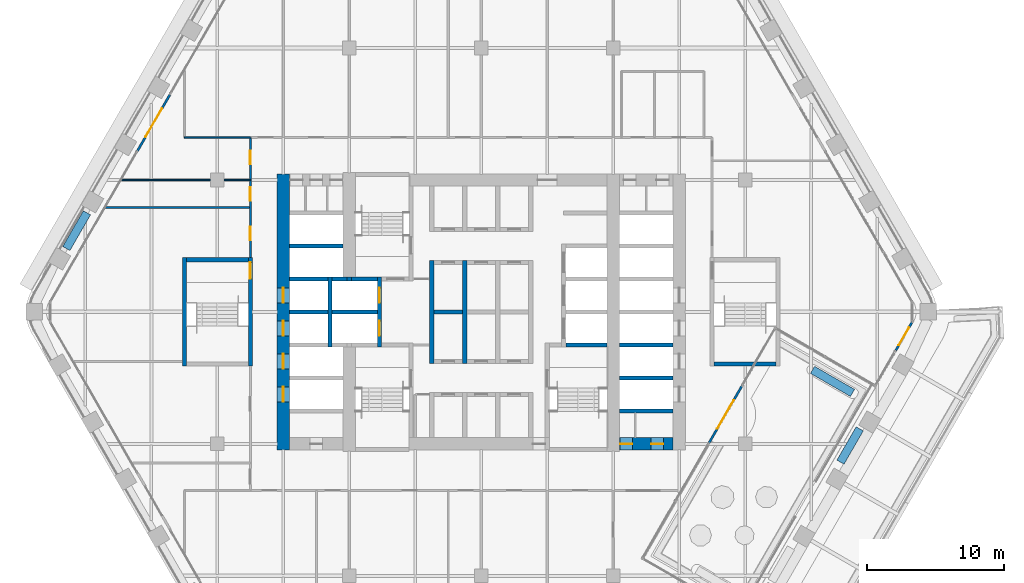
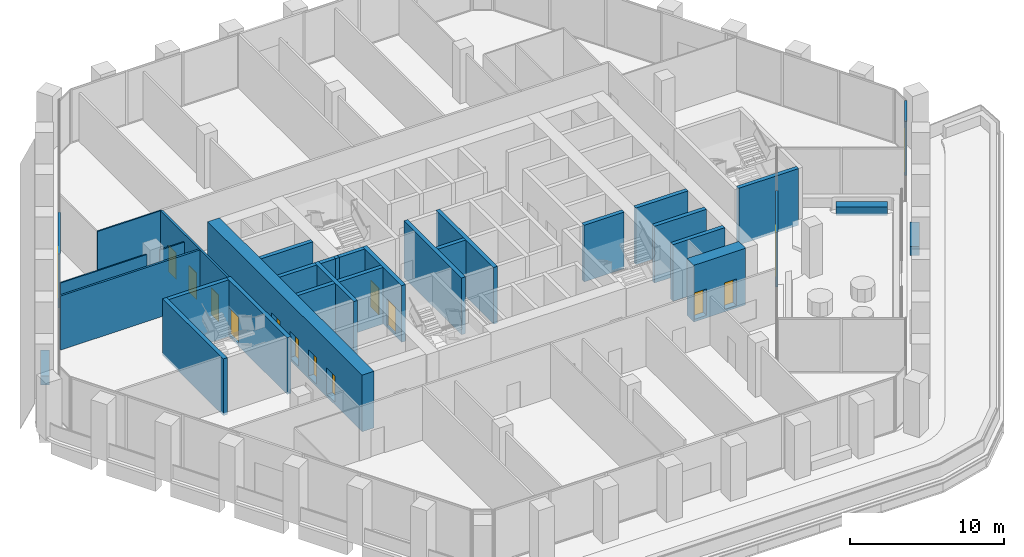
# One storey, part 15 of 25: 33 walls, 15 doors, 15 openings.
"""IFC4 building model written with IfcOpenShell, lengths in metres."""

from ifc_helpers import new_model, si_unit, direction, frame, frame_2d, origin, place, context, subcontext, project, spatial, rectangle, extrude, material, layer, layer_set, type_object, element, fill, save


model = new_model("IFC4")

# Units and contexts
model_context = context("Model", 3, precision=1e-05, world=origin(), true_north=direction((0.0, 1.0)))
body_context = subcontext(model_context, "Body", "Model", "MODEL_VIEW")
ifc_project = project(units=[si_unit("LENGTHUNIT", "METRE"), si_unit("AREAUNIT", "SQUARE_METRE"), si_unit("VOLUMEUNIT", "CUBIC_METRE"), si_unit("PLANEANGLEUNIT", "RADIAN"), si_unit("MASSUNIT", "GRAM", prefix="KILO")], contexts=[model_context])

# Site, building, storey
site_placement = place(None, origin())
site = spatial("IfcSite", under=ifc_project, at=site_placement, CompositionType="ELEMENT")
building_placement = place(site_placement, origin())
building = spatial("IfcBuilding", under=site, at=building_placement, Name="Kolab Exchange Tower", CompositionType="ELEMENT")
storey_placement = place(building_placement, frame((0.0, 0.0, 91.39990234375)))
storey = spatial("IfcBuildingStorey", under=building, at=storey_placement, Name="L17", CompositionType="ELEMENT", Elevation=91.39990234375)

# Wall, openings, doors
ifc_material_1 = material(Name="Concrete C70/85", Category="concrete")
ifc_layer_1 = layer(ifc_material_1, 0.89990234375)
ifc_layer_set_1 = layer_set([ifc_layer_1], Name="Concrete C70/85")
wall_type_1 = type_object("IfcWallType", Name="CORE WALL 900 C70/85", PredefinedType="SHEAR", material=ifc_layer_set_1)
wall_1_placement = place(storey_placement, frame((10.050048828125, -9.60009765625, -0.199951171875), z_axis=(0.0, 0.0, 1.0), x_axis=(1.0, 0.0, 0.0)))
wall_1 = element("IfcWall", 1, at=wall_1_placement, inside=storey, type_object=wall_type_1, Name="wall/L17/core/004", PredefinedType="SHEAR", context=body_context, shape_type="SweptSolid", body=[
    extrude(rectangle(XDim=3.89990234375, YDim=0.89990234375, at=frame_2d((1.949951171875, 0.0))), origin(), (0.0, 0.0, 1.0), 4.5),
])
opening_1_placement = place(wall_1_placement, frame((0.050048828125, 0.0, 0.199951171875)))
opening_1 = element("IfcOpeningElement", 2, at=opening_1_placement, cuts=wall_1, Name="Opening D6-219", PredefinedType="OPENING", context=body_context, shape_type="SweptSolid", body=[
    extrude(rectangle(XDim=0.89990234375, YDim=2.10009765625, at=frame_2d((0.449951171875, 1.050048828125))), frame((0.0, 0.4599609375, 0.0), z_axis=(0.0, -1.0, 0.0), x_axis=(1.0, 0.0, 0.0)), (0.0, 0.0, 1.0), 0.919921875),
])
opening_2_placement = place(wall_1_placement, frame((2.300048828125, 0.0, 0.199951171875)))
opening_2 = element("IfcOpeningElement", 3, at=opening_2_placement, cuts=wall_1, Name="Opening D6-220", PredefinedType="OPENING", context=body_context, shape_type="SweptSolid", body=[
    extrude(rectangle(XDim=0.89990234375, YDim=2.10009765625, at=frame_2d((0.449951171875, 1.050048828125))), frame((0.0, 0.4599609375, 0.0), z_axis=(0.0, -1.0, 0.0), x_axis=(1.0, 0.0, 0.0)), (0.0, 0.0, 1.0), 0.919921875),
])
ifc_material_2 = material(Name="Steel S235", Category="steel")
door_type_1 = type_object("IfcDoorType", Name="CORE DOOR 900 EI 120", OperationType="SINGLE_SWING_LEFT", PredefinedType="DOOR", material=ifc_material_2)
door_1_placement = place(opening_1_placement, origin())
door_1 = element("IfcDoor", 4, at=door_1_placement, inside=storey, type_object=door_type_1, Name="Service room door", OperationType="SINGLE_SWING_RIGHT", OverallHeight=2.10009765625, OverallWidth=0.89990234375, PredefinedType="DOOR", context=body_context, shape_type="SweptSolid", body=[
    extrude(rectangle(XDim=0.89990234375, YDim=2.10009765625, at=frame_2d((0.449951171875, 1.050048828125))), frame((0.0, 0.02490234375, 0.0), z_axis=(0.0, -1.0, 0.0), x_axis=(1.0, 0.0, 0.0)), (0.0, 0.0, 1.0), 0.050048828125),
])
fill(opening_1, door_1)
door_2_placement = place(opening_2_placement, origin())
door_2 = element("IfcDoor", 5, at=door_2_placement, inside=storey, type_object=door_type_1, Name="Service room door", OperationType="SINGLE_SWING_RIGHT", OverallHeight=2.10009765625, OverallWidth=0.89990234375, PredefinedType="DOOR", context=body_context, shape_type="SweptSolid", body=[
    extrude(rectangle(XDim=0.89990234375, YDim=2.10009765625, at=frame_2d((0.449951171875, 1.050048828125))), frame((0.0, 0.02490234375, 0.0), z_axis=(0.0, -1.0, 0.0), x_axis=(1.0, 0.0, 0.0)), (0.0, 0.0, 1.0), 0.050048828125),
])
fill(opening_2, door_2)

wall_2_placement = place(storey_placement, frame((-14.39990234375, -10.050048828125, -0.199951171875), z_axis=(0.0, 0.0, 1.0), x_axis=(0.0, 1.0, 0.0)))
wall_2 = element("IfcWall", 6, at=wall_2_placement, inside=storey, type_object=wall_type_1, Name="wall/L17/core/057", PredefinedType="SHEAR", context=body_context, shape_type="SweptSolid", body=[
    extrude(rectangle(XDim=20.10009765625, YDim=0.89990234375, at=frame_2d((10.050048828125, 0.0))), origin(), (0.0, 0.0, 1.0), 4.5),
])
opening_3_placement = place(wall_2_placement, frame((3.5, 0.0, 0.199951171875)))
opening_3 = element("IfcOpeningElement", 7, at=opening_3_placement, cuts=wall_2, Name="Opening LD1-073", PredefinedType="OPENING", context=body_context, shape_type="SweptSolid", body=[
    extrude(rectangle(XDim=1.10009765625, YDim=2.10009765625, at=frame_2d((0.550048828125, 1.050048828125))), frame((0.0, 0.4599609375, 0.0), z_axis=(0.0, -1.0, 0.0), x_axis=(1.0, 0.0, 0.0)), (0.0, 0.0, 1.0), 0.919921875),
])
opening_4_placement = place(wall_2_placement, frame((5.89990234375, 0.0, 0.199951171875)))
opening_4 = element("IfcOpeningElement", 8, at=opening_4_placement, cuts=wall_2, Name="Opening LD1-074", PredefinedType="OPENING", context=body_context, shape_type="SweptSolid", body=[
    extrude(rectangle(XDim=1.10009765625, YDim=2.10009765625, at=frame_2d((0.550048828125, 1.050048828125))), frame((0.0, 0.4599609375, 0.0), z_axis=(0.0, -1.0, 0.0), x_axis=(1.0, 0.0, 0.0)), (0.0, 0.0, 1.0), 0.919921875),
])
opening_5_placement = place(wall_2_placement, frame((8.300048828125, 0.0, 0.199951171875)))
opening_5 = element("IfcOpeningElement", 9, at=opening_5_placement, cuts=wall_2, Name="Opening LD1-075", PredefinedType="OPENING", context=body_context, shape_type="SweptSolid", body=[
    extrude(rectangle(XDim=1.10009765625, YDim=2.10009765625, at=frame_2d((0.550048828125, 1.050048828125))), frame((0.0, 0.4599609375, 0.0), z_axis=(0.0, -1.0, 0.0), x_axis=(1.0, 0.0, 0.0)), (0.0, 0.0, 1.0), 0.919921875),
])
opening_6_placement = place(wall_2_placement, frame((10.699951171875, 0.0, 0.199951171875)))
opening_6 = element("IfcOpeningElement", 10, at=opening_6_placement, cuts=wall_2, Name="Opening LD1-076", PredefinedType="OPENING", context=body_context, shape_type="SweptSolid", body=[
    extrude(rectangle(XDim=1.10009765625, YDim=2.10009765625, at=frame_2d((0.550048828125, 1.050048828125))), frame((0.0, 0.4599609375, 0.0), z_axis=(0.0, -1.0, 0.0), x_axis=(1.0, 0.0, 0.0)), (0.0, 0.0, 1.0), 0.919921875),
])
ifc_material_3 = material(Name="Stainless steel 316", Category="steel")
door_type_2 = type_object("IfcDoorType", Name="LANDING DOOR 1100 PASSENGER", OperationType="DOUBLE_DOOR_SLIDING", PredefinedType="DOOR", material=ifc_material_3)
door_3_placement = place(opening_3_placement, origin())
door_3 = element("IfcDoor", 11, at=door_3_placement, inside=storey, type_object=door_type_2, Name="Landing door LR5", OperationType="DOUBLE_DOOR_SLIDING", OverallHeight=2.10009765625, OverallWidth=1.10009765625, PredefinedType="DOOR", context=body_context, shape_type="SweptSolid", body=[
    extrude(rectangle(XDim=1.10009765625, YDim=2.10009765625, at=frame_2d((0.550048828125, 1.050048828125))), frame((0.0, 0.02490234375, 0.0), z_axis=(0.0, -1.0, 0.0), x_axis=(1.0, 0.0, 0.0)), (0.0, 0.0, 1.0), 0.050048828125),
])
fill(opening_3, door_3)
door_4_placement = place(opening_4_placement, origin())
door_4 = element("IfcDoor", 12, at=door_4_placement, inside=storey, type_object=door_type_2, Name="Landing door LR6", OperationType="DOUBLE_DOOR_SLIDING", OverallHeight=2.10009765625, OverallWidth=1.10009765625, PredefinedType="DOOR", context=body_context, shape_type="SweptSolid", body=[
    extrude(rectangle(XDim=1.10009765625, YDim=2.10009765625, at=frame_2d((0.550048828125, 1.050048828125))), frame((0.0, 0.02490234375, 0.0), z_axis=(0.0, -1.0, 0.0), x_axis=(1.0, 0.0, 0.0)), (0.0, 0.0, 1.0), 0.050048828125),
])
fill(opening_4, door_4)
door_5_placement = place(opening_5_placement, origin())
door_5 = element("IfcDoor", 13, at=door_5_placement, inside=storey, type_object=door_type_2, Name="Landing door LR7", OperationType="DOUBLE_DOOR_SLIDING", OverallHeight=2.10009765625, OverallWidth=1.10009765625, PredefinedType="DOOR", context=body_context, shape_type="SweptSolid", body=[
    extrude(rectangle(XDim=1.10009765625, YDim=2.10009765625, at=frame_2d((0.550048828125, 1.050048828125))), frame((0.0, 0.02490234375, 0.0), z_axis=(0.0, -1.0, 0.0), x_axis=(1.0, 0.0, 0.0)), (0.0, 0.0, 1.0), 0.050048828125),
])
fill(opening_5, door_5)
door_6_placement = place(opening_6_placement, origin())
door_6 = element("IfcDoor", 14, at=door_6_placement, inside=storey, type_object=door_type_2, Name="Landing door LR8", OperationType="DOUBLE_DOOR_SLIDING", OverallHeight=2.10009765625, OverallWidth=1.10009765625, PredefinedType="DOOR", context=body_context, shape_type="SweptSolid", body=[
    extrude(rectangle(XDim=1.10009765625, YDim=2.10009765625, at=frame_2d((0.550048828125, 1.050048828125))), frame((0.0, 0.02490234375, 0.0), z_axis=(0.0, -1.0, 0.0), x_axis=(1.0, 0.0, 0.0)), (0.0, 0.0, 1.0), 0.050048828125),
])
fill(opening_6, door_6)

# Wall, opening, door
ifc_material_4 = material(Name="Aluminium EN AW-6063 T6", Category="aluminium")
ifc_layer_2 = layer(ifc_material_4, 0.159912109375)
ifc_layer_set_2 = layer_set([ifc_layer_2], Name="Aluminium EN AW-6063 T6")
wall_type_2 = type_object("IfcWallType", Name="DOOR SURROUND WALL 160 ALUMINIUM FRAMED", PredefinedType="PARTITIONING", material=ifc_layer_set_2)
wall_3_placement = place(storey_placement, frame((31.3505859375, -0.736083984375, 0.0), z_axis=(0.0, 0.0, 1.0), x_axis=(-0.500001309137, -0.866024647952, 0.0)))
wall_3 = element("IfcWall", 15, at=wall_3_placement, inside=storey, type_object=wall_type_2, Name="Door surround wall", PredefinedType="PARTITIONING", context=body_context, shape_type="SweptSolid", body=[
    extrude(rectangle(XDim=2.39990234375, YDim=0.159912109375, at=frame_2d((1.199951171875, 0.0))), origin(), (0.0, 0.0, 1.0), 4.300048828125),
])
opening_7_placement = place(wall_3_placement, frame((0.449951171875, 0.0, 0.0)))
opening_7 = element("IfcOpeningElement", 16, at=opening_7_placement, cuts=wall_3, Name="Opening GD2-003", PredefinedType="OPENING", context=body_context, shape_type="SweptSolid", body=[
    extrude(rectangle(XDim=1.5, YDim=2.39990234375, at=frame_2d((0.75, 1.199951171875))), frame((0.0, 0.08984375, 0.0), z_axis=(0.0, -1.0, 0.0), x_axis=(1.0, 0.0, 0.0)), (0.0, 0.0, 1.0), 0.179931640625),
])
door_type_3 = type_object("IfcDoorType", Name="LOGGIA SLIDING GLASS DOOR 1500 X 2400", OperationType="SLIDING_TO_LEFT", PredefinedType="DOOR", material=ifc_material_4)
door_7_placement = place(opening_7_placement, origin())
door_7 = element("IfcDoor", 17, at=door_7_placement, inside=storey, type_object=door_type_3, Name="Loggia door", OperationType="DOUBLE_DOOR_SLIDING", OverallHeight=2.39990234375, OverallWidth=1.5, PredefinedType="DOOR", context=body_context, shape_type="SweptSolid", body=[
    extrude(rectangle(XDim=1.5, YDim=2.39990234375, at=frame_2d((0.75, 1.199951171875))), frame((0.0, 0.02490234375, 0.0), z_axis=(0.0, -1.0, 0.0), x_axis=(1.0, 0.0, 0.0)), (0.0, 0.0, 1.0), 0.050048828125),
])
fill(opening_7, door_7)

wall_4_placement = place(storey_placement, frame((18.962158203125, -5.3935546875, 0.0), z_axis=(0.0, 0.0, 1.0), x_axis=(-0.500017192868, -0.86601547725, 0.0)))
wall_4 = element("IfcWall", 18, at=wall_4_placement, inside=storey, type_object=wall_type_2, Name="Door surround wall", PredefinedType="PARTITIONING", context=body_context, shape_type="SweptSolid", body=[
    extrude(rectangle(XDim=4.780029296875, YDim=0.159912109375, at=frame_2d((2.39013671875, 0.0))), origin(), (0.0, 0.0, 1.0), 4.300048828125),
])
opening_8_placement = place(wall_4_placement, frame((1.18994140625, 0.0, 0.0)))
opening_8 = element("IfcOpeningElement", 19, at=opening_8_placement, cuts=wall_4, Name="Opening GD1-049", PredefinedType="OPENING", context=body_context, shape_type="SweptSolid", body=[
    extrude(rectangle(XDim=2.39990234375, YDim=2.39990234375, at=frame_2d((1.199951171875, 1.199951171875))), frame((0.0, 0.08984375, 0.0), z_axis=(0.0, -1.0, 0.0), x_axis=(1.0, 0.0, 0.0)), (0.0, 0.0, 1.0), 0.179931640625),
])
door_type_4 = type_object("IfcDoorType", Name="LOGGIA SLIDING GLASS DOOR 2400 X 2400", OperationType="DOUBLE_DOOR_SINGLE_SWING", PredefinedType="DOOR", material=ifc_material_4)
door_8_placement = place(opening_8_placement, origin())
door_8 = element("IfcDoor", 20, at=door_8_placement, inside=storey, type_object=door_type_4, Name="Loggia door", OperationType="DOUBLE_DOOR_SLIDING", OverallHeight=2.39990234375, OverallWidth=2.39990234375, PredefinedType="DOOR", context=body_context, shape_type="SweptSolid", body=[
    extrude(rectangle(XDim=2.39990234375, YDim=2.39990234375, at=frame_2d((1.199951171875, 1.199951171875))), frame((0.0, 0.02490234375, 0.0), z_axis=(0.0, -1.0, 0.0), x_axis=(1.0, 0.0, 0.0)), (0.0, 0.0, 1.0), 0.050048828125),
])
fill(opening_8, door_8)

wall_5_placement = place(storey_placement, frame((-25.0166015625, 11.706787109375, 0.0), z_axis=(0.0, 0.0, 1.0), x_axis=(0.499978080042, 0.866038058908, 0.0)))
wall_5 = element("IfcWall", 21, at=wall_5_placement, inside=storey, type_object=wall_type_2, Name="Door surround wall", PredefinedType="PARTITIONING", context=body_context, shape_type="SweptSolid", body=[
    extrude(rectangle(XDim=4.739990234375, YDim=0.159912109375, at=frame_2d((2.3701171875, 0.0))), origin(), (0.0, 0.0, 1.0), 4.300048828125),
])
opening_9_placement = place(wall_5_placement, frame((1.169921875, 0.0, 0.0)))
opening_9 = element("IfcOpeningElement", 22, at=opening_9_placement, cuts=wall_5, Name="Opening GD1-039", PredefinedType="OPENING", context=body_context, shape_type="SweptSolid", body=[
    extrude(rectangle(XDim=2.39990234375, YDim=2.39990234375, at=frame_2d((1.199951171875, 1.199951171875))), frame((0.0, 0.08984375, 0.0), z_axis=(0.0, -1.0, 0.0), x_axis=(1.0, 0.0, 0.0)), (0.0, 0.0, 1.0), 0.179931640625),
])
door_9_placement = place(opening_9_placement, origin())
door_9 = element("IfcDoor", 23, at=door_9_placement, inside=storey, type_object=door_type_4, Name="Loggia door", OperationType="DOUBLE_DOOR_SLIDING", OverallHeight=2.39990234375, OverallWidth=2.39990234375, PredefinedType="DOOR", context=body_context, shape_type="SweptSolid", body=[
    extrude(rectangle(XDim=2.39990234375, YDim=2.39990234375, at=frame_2d((1.199951171875, 1.199951171875))), frame((0.0, 0.02490234375, 0.0), z_axis=(0.0, -1.0, 0.0), x_axis=(1.0, 0.0, 0.0)), (0.0, 0.0, 1.0), 0.050048828125),
])
fill(opening_9, door_9)

# Walls
ifc_material_5 = material(Name="Concrete C50/60", Category="concrete")
ifc_layer_3 = layer(ifc_material_5, 0.300048828125)
ifc_layer_set_3 = layer_set([ifc_layer_3], Name="Concrete C50/60")
wall_type_3 = type_object("IfcWallType", Name="LIFT SHAFT WALL 300 C50/60", PredefinedType="STANDARD", material=ifc_layer_set_3)
for number, where, z_axis, x_axis, name in (
    (24, (10.050048828125, -7.199951171875, -0.199951171875), (0.0, 0.0, 1.0), (1.0, 0.0, 0.0), "wall/L17/core/006"),
    (25, (10.050048828125, -4.800048828125, -0.199951171875), (0.0, 0.0, 1.0), (1.0, 0.0, 0.0), "wall/L17/core/011"),
    (26, (10.050048828125, -2.39990234375, -0.199951171875), (0.0, 0.0, 1.0), (1.0, 0.0, 0.0), "wall/L17/core/023"),
):
    element("IfcWall", number, at=place(storey_placement, frame(where, z_axis=z_axis, x_axis=x_axis)), inside=storey, type_object=wall_type_3, Name=name, PredefinedType="STANDARD", context=body_context, shape_type="SweptSolid", body=[
        extrude(rectangle(XDim=3.89990234375, YDim=0.300048828125, at=frame_2d((1.949951171875, 0.0))), origin(), (0.0, 0.0, 1.0), 4.5),
    ])
wall_6_placement = place(storey_placement, frame((-13.949951171875, 0.0, -0.199951171875), z_axis=(0.0, 0.0, 1.0), x_axis=(1.0, 0.0, 0.0)))
element("IfcWall", 27, at=wall_6_placement, inside=storey, type_object=wall_type_3, Name="wall/L17/core/024", PredefinedType="STANDARD", context=body_context, shape_type="SweptSolid", body=[
    extrude(rectangle(XDim=2.800048828125, YDim=0.300048828125, at=frame_2d((1.39990234375, 0.0))), origin(), (0.0, 0.0, 1.0), 4.5),
])
wall_7_placement = place(storey_placement, frame((-10.85009765625, 0.0, -0.199951171875), z_axis=(0.0, 0.0, 1.0), x_axis=(1.0, 0.0, 0.0)))
element("IfcWall", 28, at=wall_7_placement, inside=storey, type_object=wall_type_3, Name="wall/L17/core/025", PredefinedType="STANDARD", context=body_context, shape_type="SweptSolid", body=[
    extrude(rectangle(XDim=3.300048828125, YDim=0.300048828125, at=frame_2d((1.64990234375, 0.0))), origin(), (0.0, 0.0, 1.0), 4.5),
])
wall_8_placement = place(storey_placement, frame((-3.449951171875, 0.0, -0.199951171875), z_axis=(0.0, 0.0, 1.0), x_axis=(1.0, 0.0, 0.0)))
element("IfcWall", 29, at=wall_8_placement, inside=storey, type_object=wall_type_3, Name="wall/L17/core/026", PredefinedType="STANDARD", context=body_context, shape_type="SweptSolid", body=[
    extrude(rectangle(XDim=2.099853515625, YDim=0.300048828125, at=frame_2d((1.0498046875, 0.0))), origin(), (0.0, 0.0, 1.0), 4.5),
])
wall_9_placement = place(storey_placement, frame((-13.949951171875, 2.39990234375, -0.199951171875), z_axis=(0.0, 0.0, 1.0), x_axis=(1.0, 0.0, 0.0)))
element("IfcWall", 30, at=wall_9_placement, inside=storey, type_object=wall_type_3, Name="wall/L17/core/031", PredefinedType="STANDARD", context=body_context, shape_type="SweptSolid", body=[
    extrude(rectangle(XDim=2.800048828125, YDim=0.300048828125, at=frame_2d((1.39990234375, 0.0))), origin(), (0.0, 0.0, 1.0), 4.5),
])
wall_10_placement = place(storey_placement, frame((-10.85009765625, 2.39990234375, -0.199951171875), z_axis=(0.0, 0.0, 1.0), x_axis=(1.0, 0.0, 0.0)))
element("IfcWall", 31, at=wall_10_placement, inside=storey, type_object=wall_type_3, Name="wall/L17/core/032", PredefinedType="STANDARD", context=body_context, shape_type="SweptSolid", body=[
    extrude(rectangle(XDim=1.10009765625, YDim=0.300048828125, at=frame_2d((0.550048828125, 0.0))), origin(), (0.0, 0.0, 1.0), 4.5),
])
wall_11_placement = place(storey_placement, frame((-13.949951171875, 4.800048828125, -0.199951171875), z_axis=(0.0, 0.0, 1.0), x_axis=(1.0, 0.0, 0.0)))
element("IfcWall", 32, at=wall_11_placement, inside=storey, type_object=wall_type_3, Name="wall/L17/core/042", PredefinedType="STANDARD", context=body_context, shape_type="SweptSolid", body=[
    extrude(rectangle(XDim=3.89990234375, YDim=0.300048828125, at=frame_2d((1.949951171875, 0.0))), origin(), (0.0, 0.0, 1.0), 4.5),
])
wall_12_placement = place(storey_placement, frame((-11.0, -2.550048828125, -0.199951171875), z_axis=(0.0, 0.0, 1.0), x_axis=(0.0, 1.0, 0.0)))
element("IfcWall", 33, at=wall_12_placement, inside=storey, type_object=wall_type_3, Name="wall/L17/core/058", PredefinedType="STANDARD", context=body_context, shape_type="SweptSolid", body=[
    extrude(rectangle(XDim=5.10009765625, YDim=0.300048828125, at=frame_2d((2.550048828125, 0.0))), origin(), (0.0, 0.0, 1.0), 4.5),
])

# Wall, openings, doors
wall_13_placement = place(storey_placement, frame((-7.39990234375, -2.550048828125, -0.199951171875), z_axis=(0.0, 0.0, 1.0), x_axis=(0.0, 1.0, 0.0)))
wall_13 = element("IfcWall", 34, at=wall_13_placement, inside=storey, type_object=wall_type_3, Name="wall/L17/core/063", PredefinedType="STANDARD", context=body_context, shape_type="SweptSolid", body=[
    extrude(rectangle(XDim=5.10009765625, YDim=0.300048828125, at=frame_2d((2.550048828125, 0.0))), origin(), (0.0, 0.0, 1.0), 4.5),
])
opening_10_placement = place(wall_13_placement, frame((0.800048828125, 0.0, 0.199951171875)))
opening_10 = element("IfcOpeningElement", 35, at=opening_10_placement, cuts=wall_13, Name="Opening LD2-017", PredefinedType="OPENING", context=body_context, shape_type="SweptSolid", body=[
    extrude(rectangle(XDim=1.10009765625, YDim=2.10009765625, at=frame_2d((0.550048828125, 1.050048828125))), frame((0.0, 0.16015625, 0.0), z_axis=(0.0, -1.0, 0.0), x_axis=(1.0, 0.0, 0.0)), (0.0, 0.0, 1.0), 0.320068359375),
])
opening_11_placement = place(wall_13_placement, frame((3.199951171875, 0.0, 0.199951171875)))
opening_11 = element("IfcOpeningElement", 36, at=opening_11_placement, cuts=wall_13, Name="Opening LD2-018", PredefinedType="OPENING", context=body_context, shape_type="SweptSolid", body=[
    extrude(rectangle(XDim=1.10009765625, YDim=2.10009765625, at=frame_2d((0.550048828125, 1.050048828125))), frame((0.0, 0.16015625, 0.0), z_axis=(0.0, -1.0, 0.0), x_axis=(1.0, 0.0, 0.0)), (0.0, 0.0, 1.0), 0.320068359375),
])
door_type_5 = type_object("IfcDoorType", Name="LANDING DOOR 1100 FIREFIGHTING", OperationType="DOUBLE_DOOR_SLIDING", PredefinedType="DOOR", material=ifc_material_3)
door_10_placement = place(opening_10_placement, origin())
door_10 = element("IfcDoor", 37, at=door_10_placement, inside=storey, type_object=door_type_5, Name="Landing door FF1", OperationType="DOUBLE_DOOR_SLIDING", OverallHeight=2.10009765625, OverallWidth=1.10009765625, PredefinedType="DOOR", context=body_context, shape_type="SweptSolid", body=[
    extrude(rectangle(XDim=1.10009765625, YDim=2.10009765625, at=frame_2d((0.550048828125, 1.050048828125))), frame((0.0, 0.02490234375, 0.0), z_axis=(0.0, -1.0, 0.0), x_axis=(1.0, 0.0, 0.0)), (0.0, 0.0, 1.0), 0.050048828125),
])
fill(opening_10, door_10)
door_11_placement = place(opening_11_placement, origin())
door_11 = element("IfcDoor", 38, at=door_11_placement, inside=storey, type_object=door_type_5, Name="Landing door FF2", OperationType="DOUBLE_DOOR_SLIDING", OverallHeight=2.10009765625, OverallWidth=1.10009765625, PredefinedType="DOOR", context=body_context, shape_type="SweptSolid", body=[
    extrude(rectangle(XDim=1.10009765625, YDim=2.10009765625, at=frame_2d((0.550048828125, 1.050048828125))), frame((0.0, 0.02490234375, 0.0), z_axis=(0.0, -1.0, 0.0), x_axis=(1.0, 0.0, 0.0)), (0.0, 0.0, 1.0), 0.050048828125),
])
fill(opening_11, door_11)

# Walls
for number, where, z_axis, x_axis, name in (
    (39, (-3.60009765625, -3.75, -0.199951171875), (0.0, 0.0, 1.0), (0.0, 1.0, 0.0), "wall/L17/core/067"),
    (40, (-1.199951171875, -3.75, -0.199951171875), (0.0, 0.0, 1.0), (0.0, 1.0, 0.0), "wall/L17/core/070"),
):
    element("IfcWall", number, at=place(storey_placement, frame(where, z_axis=z_axis, x_axis=x_axis)), inside=storey, type_object=wall_type_3, Name=name, PredefinedType="STANDARD", context=body_context, shape_type="SweptSolid", body=[
        extrude(rectangle(XDim=7.5, YDim=0.300048828125, at=frame_2d((3.75, 0.0))), origin(), (0.0, 0.0, 1.0), 4.5),
    ])
ifc_material_6 = material(Name="Gypsum board", Category="gypsum")
ifc_layer_4 = layer(ifc_material_6, 0.10009765625)
ifc_layer_set_4 = layer_set([ifc_layer_4], Name="Gypsum board")
wall_type_4 = type_object("IfcWallType", Name="PARTITION 100", PredefinedType="PARTITIONING", material=ifc_layer_set_4)
wall_14_placement = place(storey_placement, frame((-26.186767578125, 9.60009765625, 0.0), z_axis=(0.0, 0.0, 1.0), x_axis=(1.0, 0.0, 0.0)))
element("IfcWall", 41, at=wall_14_placement, inside=storey, type_object=wall_type_4, Name="Partition 037", PredefinedType="PARTITIONING", context=body_context, shape_type="SweptSolid", body=[
    extrude(rectangle(XDim=6.48681640625, YDim=0.10009765625, at=frame_2d((3.243408203125, 0.0))), origin(), (0.0, 0.0, 1.0), 3.692138671875),
])
wall_15_placement = place(storey_placement, frame((-18.699951171875, 9.60009765625, 0.0), z_axis=(0.0, 0.0, 1.0), x_axis=(1.0, 0.0, 0.0)))
element("IfcWall", 42, at=wall_15_placement, inside=storey, type_object=wall_type_4, Name="Partition 038", PredefinedType="PARTITIONING", context=body_context, shape_type="SweptSolid", body=[
    extrude(rectangle(XDim=1.89990234375, YDim=0.10009765625, at=frame_2d((0.949951171875, 0.0))), origin(), (0.0, 0.0, 1.0), 3.692138671875),
])
wall_16_placement = place(storey_placement, frame((-21.60009765625, 12.699951171875, 0.0), z_axis=(0.0, 0.0, 1.0), x_axis=(1.0, 0.0, 0.0)))
element("IfcWall", 43, at=wall_16_placement, inside=storey, type_object=wall_type_4, Name="Partition 040", PredefinedType="PARTITIONING", context=body_context, shape_type="SweptSolid", body=[
    extrude(rectangle(XDim=4.800048828125, YDim=0.10009765625, at=frame_2d((2.39990234375, 0.0))), origin(), (0.0, 0.0, 1.0), 4.300048828125),
])

# Wall, openings, doors
ifc_layer_5 = layer(ifc_material_6, 0.14990234375)
ifc_layer_set_5 = layer_set([ifc_layer_5], Name="Gypsum board")
wall_type_5 = type_object("IfcWallType", Name="PARTITION 150 FIRE-RATED", PredefinedType="PARTITIONING", material=ifc_layer_set_5)
wall_17_placement = place(storey_placement, frame((-16.800048828125, 3.949951171875, 0.0), z_axis=(0.0, 0.0, 1.0), x_axis=(0.0, 1.0, 0.0)))
wall_17 = element("IfcWall", 44, at=wall_17_placement, inside=storey, type_object=wall_type_5, Name="Partition 028", PredefinedType="PARTITIONING", context=body_context, shape_type="SweptSolid", body=[
    extrude(rectangle(XDim=8.75, YDim=0.14990234375, at=frame_2d((4.375, 0.0))), origin(), (0.0, 0.0, 1.0), 4.300048828125),
])
opening_12_placement = place(wall_17_placement, frame((1.25, 0.0, 0.0)))
opening_12 = element("IfcOpeningElement", 45, at=opening_12_placement, cuts=wall_17, Name="Opening D1-253", PredefinedType="OPENING", context=body_context, shape_type="SweptSolid", body=[
    extrude(rectangle(XDim=1.0, YDim=2.10009765625, at=frame_2d((0.5, 1.050048828125))), frame((0.0, 0.0849609375, 0.0), z_axis=(0.0, -1.0, 0.0), x_axis=(1.0, 0.0, 0.0)), (0.0, 0.0, 1.0), 0.169921875),
])
opening_13_placement = place(wall_17_placement, frame((4.135009765625, 0.0, 0.0)))
opening_13 = element("IfcOpeningElement", 46, at=opening_13_placement, cuts=wall_17, Name="Opening D1-254", PredefinedType="OPENING", context=body_context, shape_type="SweptSolid", body=[
    extrude(rectangle(XDim=1.0, YDim=2.10009765625, at=frame_2d((0.5, 1.050048828125))), frame((0.0, 0.0849609375, 0.0), z_axis=(0.0, -1.0, 0.0), x_axis=(1.0, 0.0, 0.0)), (0.0, 0.0, 1.0), 0.169921875),
])
opening_14_placement = place(wall_17_placement, frame((6.780029296875, 0.0, 0.0)))
opening_14 = element("IfcOpeningElement", 47, at=opening_14_placement, cuts=wall_17, Name="Opening D1-255", PredefinedType="OPENING", context=body_context, shape_type="SweptSolid", body=[
    extrude(rectangle(XDim=1.0, YDim=2.10009765625, at=frame_2d((0.5, 1.050048828125))), frame((0.0, 0.0849609375, 0.0), z_axis=(0.0, -1.0, 0.0), x_axis=(1.0, 0.0, 0.0)), (0.0, 0.0, 1.0), 0.169921875),
])
door_type_6 = type_object("IfcDoorType", Name="FLUSH DOOR 1000 FD60", OperationType="SINGLE_SWING_LEFT", PredefinedType="DOOR", material=ifc_material_2)
door_12_placement = place(opening_12_placement, origin())
door_12 = element("IfcDoor", 48, at=door_12_placement, inside=storey, type_object=door_type_6, Name="Door L17-065", OperationType="SINGLE_SWING_RIGHT", OverallHeight=2.10009765625, OverallWidth=1.0, PredefinedType="DOOR", context=body_context, shape_type="SweptSolid", body=[
    extrude(rectangle(XDim=1.0, YDim=2.10009765625, at=frame_2d((0.5, 1.050048828125))), frame((0.0, 0.02490234375, 0.0), z_axis=(0.0, -1.0, 0.0), x_axis=(1.0, 0.0, 0.0)), (0.0, 0.0, 1.0), 0.050048828125),
])
fill(opening_12, door_12)
door_13_placement = place(opening_13_placement, origin())
door_13 = element("IfcDoor", 49, at=door_13_placement, inside=storey, type_object=door_type_6, Name="Door L17-066", OperationType="SINGLE_SWING_LEFT", OverallHeight=2.10009765625, OverallWidth=1.0, PredefinedType="DOOR", context=body_context, shape_type="SweptSolid", body=[
    extrude(rectangle(XDim=1.0, YDim=2.10009765625, at=frame_2d((0.5, 1.050048828125))), frame((0.0, 0.02490234375, 0.0), z_axis=(0.0, -1.0, 0.0), x_axis=(1.0, 0.0, 0.0)), (0.0, 0.0, 1.0), 0.050048828125),
])
fill(opening_13, door_13)
door_14_placement = place(opening_14_placement, origin())
door_14 = element("IfcDoor", 50, at=door_14_placement, inside=storey, type_object=door_type_6, Name="Door L17-067", OperationType="SINGLE_SWING_RIGHT", OverallHeight=2.10009765625, OverallWidth=1.0, PredefinedType="DOOR", context=body_context, shape_type="SweptSolid", body=[
    extrude(rectangle(XDim=1.0, YDim=2.10009765625, at=frame_2d((0.5, 1.050048828125))), frame((0.0, 0.02490234375, 0.0), z_axis=(0.0, -1.0, 0.0), x_axis=(1.0, 0.0, 0.0)), (0.0, 0.0, 1.0), 0.050048828125),
])
fill(opening_14, door_14)

# Walls
wall_18_placement = place(storey_placement, frame((-27.341552734375, 7.60009765625, 0.0), z_axis=(0.0, 0.0, 1.0), x_axis=(1.0, 0.0, 0.0)))
element("IfcWall", 51, at=wall_18_placement, inside=storey, type_object=wall_type_5, Name="Partition 036", PredefinedType="PARTITIONING", context=body_context, shape_type="SweptSolid", body=[
    extrude(rectangle(XDim=10.54150390625, YDim=0.14990234375, at=frame_2d((5.270751953125, 0.0))), origin(), (0.0, 0.0, 1.0), 4.300048828125),
])
ifc_material_7 = material(Name="Granite facing", Category="masonry")
ifc_layer_6 = layer(ifc_material_7, 0.0400390625)
ifc_material_8 = material(Name="Concrete C40/50 precast", Category="concrete")
ifc_layer_7 = layer(ifc_material_8, 0.56005859375)
ifc_layer_set_6 = layer_set([ifc_layer_6, ifc_layer_7], Name="Concrete C40/50 precast")
wall_type_6 = type_object("IfcWallType", Name="PLANTER BOX 600 X 700 SOIL DEPTH 550", PredefinedType="USERDEFINED", material=ifc_layer_set_6)
wall_19_placement = place(storey_placement, frame((-30.18701171875, 4.611328125, 0.0), z_axis=(0.0, 0.0, 1.0), x_axis=(0.499990139034, 0.866031096941, 0.0)))
element("IfcWall", 52, at=wall_19_placement, inside=storey, type_object=wall_type_6, Name="Planter", ObjectType="PLANTER", PredefinedType="USERDEFINED", context=body_context, shape_type="SweptSolid", body=[
    extrude(rectangle(XDim=3.0, YDim=0.60009765625, at=frame_2d((1.5, 0.0))), origin(), (0.0, 0.0, 1.0), 0.7001953125),
])
wall_20_placement = place(storey_placement, frame((24.099853515625, -4.214599609375, 0.0), z_axis=(0.0, 0.0, 1.0), x_axis=(0.866039179741, -0.499976138585, 0.0)))
element("IfcWall", 53, at=wall_20_placement, inside=storey, type_object=wall_type_6, Name="Planter", ObjectType="PLANTER", PredefinedType="USERDEFINED", context=body_context, shape_type="SweptSolid", body=[
    extrude(rectangle(XDim=3.360107421875, YDim=0.60009765625, at=frame_2d((1.68017578125, 0.0))), origin(), (0.0, 0.0, 1.0), 0.7001953125),
])
wall_21_placement = place(storey_placement, frame((26.134033203125, -10.931640625, 0.0), z_axis=(0.0, 0.0, 1.0), x_axis=(0.49994636267, 0.866056369097, 0.0)))
element("IfcWall", 54, at=wall_21_placement, inside=storey, type_object=wall_type_6, Name="Planter", ObjectType="PLANTER", PredefinedType="USERDEFINED", context=body_context, shape_type="SweptSolid", body=[
    extrude(rectangle(XDim=2.800048828125, YDim=0.60009765625, at=frame_2d((1.39990234375, 0.0))), origin(), (0.0, 0.0, 1.0), 0.7001953125),
])
ifc_layer_8 = layer(ifc_material_5, 0.300048828125)
ifc_layer_set_7 = layer_set([ifc_layer_8], Name="Concrete C50/60")
wall_type_7 = type_object("IfcWallType", Name="STAIR ENCLOSURE WALL 300 C50/60", PredefinedType="STANDARD", material=ifc_layer_set_7)
wall_22_placement = place(storey_placement, frame((16.949951171875, -3.800048828125, -0.199951171875), z_axis=(0.0, 0.0, 1.0), x_axis=(1.0, 0.0, 0.0)))
element("IfcWall", 55, at=wall_22_placement, inside=storey, type_object=wall_type_7, Name="wall/L17/core/013", PredefinedType="STANDARD", context=body_context, shape_type="SweptSolid", body=[
    extrude(rectangle(XDim=4.5, YDim=0.300048828125, at=frame_2d((2.25, 0.0))), origin(), (0.0, 0.0, 1.0), 4.5),
])
wall_23_placement = place(storey_placement, frame((6.14990234375, -2.39990234375, -0.199951171875), z_axis=(0.0, 0.0, 1.0), x_axis=(1.0, 0.0, 0.0)))
element("IfcWall", 56, at=wall_23_placement, inside=storey, type_object=wall_type_7, Name="wall/L17/core/022", PredefinedType="STANDARD", context=body_context, shape_type="SweptSolid", body=[
    extrude(rectangle(XDim=3.0, YDim=0.300048828125, at=frame_2d((1.5, 0.0))), origin(), (0.0, 0.0, 1.0), 4.5),
])
wall_24_placement = place(storey_placement, frame((-9.449951171875, 2.39990234375, -0.199951171875), z_axis=(0.0, 0.0, 1.0), x_axis=(1.0, 0.0, 0.0)))
element("IfcWall", 57, at=wall_24_placement, inside=storey, type_object=wall_type_7, Name="wall/L17/core/033", PredefinedType="STANDARD", context=body_context, shape_type="SweptSolid", body=[
    extrude(rectangle(XDim=1.89990234375, YDim=0.300048828125, at=frame_2d((0.949951171875, 0.0))), origin(), (0.0, 0.0, 1.0), 4.5),
])
wall_25_placement = place(storey_placement, frame((-21.449951171875, 3.800048828125, -0.199951171875), z_axis=(0.0, 0.0, 1.0), x_axis=(1.0, 0.0, 0.0)))
element("IfcWall", 58, at=wall_25_placement, inside=storey, type_object=wall_type_7, Name="wall/L17/core/040", PredefinedType="STANDARD", context=body_context, shape_type="SweptSolid", body=[
    extrude(rectangle(XDim=4.5, YDim=0.300048828125, at=frame_2d((2.25, 0.0))), origin(), (0.0, 0.0, 1.0), 4.5),
])
wall_26_placement = place(storey_placement, frame((-21.60009765625, -3.949951171875, -0.199951171875), z_axis=(0.0, 0.0, 1.0), x_axis=(0.0, 1.0, 0.0)))
element("IfcWall", 59, at=wall_26_placement, inside=storey, type_object=wall_type_7, Name="wall/L17/core/055", PredefinedType="STANDARD", context=body_context, shape_type="SweptSolid", body=[
    extrude(rectangle(XDim=7.89990234375, YDim=0.300048828125, at=frame_2d((3.949951171875, 0.0))), origin(), (0.0, 0.0, 1.0), 4.5),
])

# Wall, opening, door
wall_27_placement = place(storey_placement, frame((-16.800048828125, -3.949951171875, -0.199951171875), z_axis=(0.0, 0.0, 1.0), x_axis=(0.0, 1.0, 0.0)))
wall_27 = element("IfcWall", 60, at=wall_27_placement, inside=storey, type_object=wall_type_7, Name="wall/L17/core/056", PredefinedType="STANDARD", context=body_context, shape_type="SweptSolid", body=[
    extrude(rectangle(XDim=7.89990234375, YDim=0.300048828125, at=frame_2d((3.949951171875, 0.0))), origin(), (0.0, 0.0, 1.0), 4.5),
])
opening_15_placement = place(wall_27_placement, frame((6.35009765625, 0.0, 0.199951171875)))
opening_15 = element("IfcOpeningElement", 61, at=opening_15_placement, cuts=wall_27, Name="Opening D4-048", PredefinedType="OPENING", context=body_context, shape_type="SweptSolid", body=[
    extrude(rectangle(XDim=1.199951171875, YDim=2.10009765625, at=frame_2d((0.60009765625, 1.050048828125))), frame((0.0, 0.16015625, 0.0), z_axis=(0.0, -1.0, 0.0), x_axis=(1.0, 0.0, 0.0)), (0.0, 0.0, 1.0), 0.320068359375),
])
door_type_7 = type_object("IfcDoorType", Name="STAIR DOOR 1200 EI 120", OperationType="SINGLE_SWING_LEFT", PredefinedType="DOOR", material=ifc_material_2)
door_15_placement = place(opening_15_placement, origin())
door_15 = element("IfcDoor", 62, at=door_15_placement, inside=storey, type_object=door_type_7, Name="Stair 5 door", OperationType="SINGLE_SWING_RIGHT", OverallHeight=2.10009765625, OverallWidth=1.199951171875, PredefinedType="DOOR", context=body_context, shape_type="SweptSolid", body=[
    extrude(rectangle(XDim=1.199951171875, YDim=2.10009765625, at=frame_2d((0.60009765625, 1.050048828125))), frame((0.0, 0.02490234375, 0.0), z_axis=(0.0, -1.0, 0.0), x_axis=(1.0, 0.0, 0.0)), (0.0, 0.0, 1.0), 0.050048828125),
])
fill(opening_15, door_15)

# Wall
wall_28_placement = place(storey_placement, frame((-9.60009765625, 2.25, -0.199951171875), z_axis=(0.0, 0.0, 1.0), x_axis=(0.0, 1.0, 0.0)))
element("IfcWall", 63, at=wall_28_placement, inside=storey, type_object=wall_type_7, Name="wall/L17/core/061", PredefinedType="STANDARD", context=body_context, shape_type="SweptSolid", body=[
    extrude(rectangle(XDim=0.300048828125, YDim=0.300048828125, at=frame_2d((0.14990234375, 0.0))), origin(), (0.0, 0.0, 1.0), 4.5),
])

save(model, "model.ifc")
